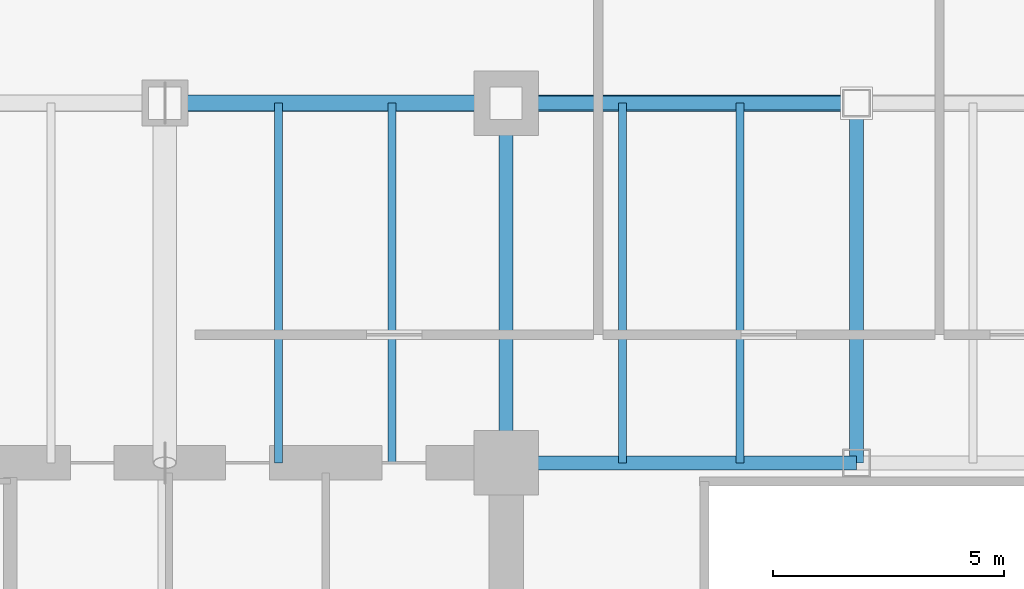
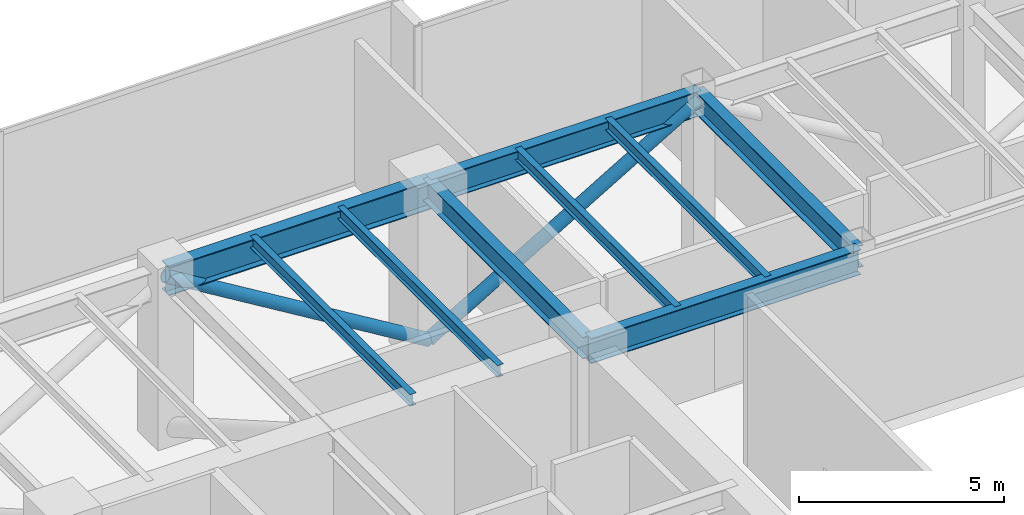
# One storey, part 13 of 38: 9 beams, 2 members.
"""IFC4 building model written with IfcOpenShell, lengths in metres."""

from ifc_helpers import new_model, si_unit, direction, frame, origin, origin_2d, place, context, subcontext, project, spatial, hollow_circle, i_section, extrude, source, transform, mapped, material, material_profile, profile_set, type_object, type_shapes, element, save


model = new_model("IFC4")

# Units and contexts
model_context = context("Model", 3, precision=1e-05, world=origin(), true_north=direction((0.0, 1.0)))
body_context = subcontext(model_context, "Body", "Model", "MODEL_VIEW")
ifc_project = project(units=[si_unit("LENGTHUNIT", "METRE"), si_unit("AREAUNIT", "SQUARE_METRE"), si_unit("VOLUMEUNIT", "CUBIC_METRE"), si_unit("PLANEANGLEUNIT", "RADIAN"), si_unit("MASSUNIT", "GRAM", prefix="KILO")], contexts=[model_context])

# Site, building, storey
site_placement = place(None, origin())
site = spatial("IfcSite", under=ifc_project, at=site_placement, CompositionType="ELEMENT")
building_placement = place(site_placement, origin())
building = spatial("IfcBuilding", under=site, at=building_placement, Name="Haelvirn Gate Laboratories", CompositionType="ELEMENT")
storey_placement = place(building_placement, frame((0.0, 0.0, 94.89990234375)))
storey = spatial("IfcBuildingStorey", under=building, at=storey_placement, Name="L23", CompositionType="ELEMENT", Elevation=94.89990234375)

# Beams
ifc_material_1 = material(Name="Steel SM355", Category="steel")
ifc_material_profile_1 = material_profile(ifc_material_1, i_section(OverallWidth=0.300048828125, OverallDepth=0.75, WebThickness=0.013916015625, FlangeThickness=0.02392578125, at=origin_2d()), Name="H-750x300x14x24")
ifc_profile_set_1 = profile_set([ifc_material_profile_1], Name="Steel SM355")
beam_type_1 = type_object("IfcBeamType", Name="BM-G-750", PredefinedType="BEAM", material=ifc_profile_set_1)
shared_shape_1 = source(origin(), body_context, "Body", "SweptSolid", [
    extrude(i_section(OverallWidth=0.300048828125, OverallDepth=0.75, WebThickness=0.013916015625, FlangeThickness=0.02392578125, at=origin_2d()), origin(), (0.0, 0.0, 1.0), 7.60009765625),
])
type_shapes(beam_type_1, [shared_shape_1])
for number, where, z_axis, x_axis, name in (
    (1, (22.199951171875, 33.800048828125, 4.715087890625), (1.0, 0.0, 0.0), (0.0, 1.0, 0.0), "L23 Primary Girder Y33.8 (22.2-29.8)"),
    (2, (22.199951171875, 41.60009765625, 4.715087890625), (1.0, 0.0, 0.0), (0.0, 1.0, 0.0), "L23 Primary Girder Y41.6 (22.2-29.8)"),
):
    element("IfcBeam", number, at=place(storey_placement, frame(where, z_axis=z_axis, x_axis=x_axis)), inside=storey, type_object=beam_type_1, Name=name, PredefinedType="BEAM", context=body_context, shape_type="MappedRepresentation", body=[
        mapped(shared_shape_1, transform((0.0, 0.0, 0.0), scale=1.0)),
    ])
ifc_material_profile_2 = material_profile(ifc_material_1, i_section(OverallWidth=0.175048828125, OverallDepth=0.35009765625, WebThickness=0.007080078125, FlangeThickness=0.010986328125, at=origin_2d()), Name="H-350x175x7x11")
ifc_profile_set_2 = profile_set([ifc_material_profile_2], Name="Steel SM355")
beam_type_2 = type_object("IfcBeamType", Name="BM-J-350", PredefinedType="JOIST", material=ifc_profile_set_2)
shared_shape_2 = source(origin(), body_context, "Body", "SweptSolid", [
    extrude(i_section(OverallWidth=0.175048828125, OverallDepth=0.35009765625, WebThickness=0.007080078125, FlangeThickness=0.010986328125, at=origin_2d()), origin(), (0.0, 0.0, 1.0), 7.800048828125),
])
type_shapes(beam_type_2, [shared_shape_2])
for number, where, z_axis, x_axis, name in (
    (3, (17.27001953125, 33.800048828125, 4.9150390625), (0.0, 1.0, 0.0), (-1.0, 0.0, 0.0), "L23 Composite Lab Joist North X17.27"),
    (4, (19.72998046875, 33.800048828125, 4.9150390625), (0.0, 1.0, 0.0), (-1.0, 0.0, 0.0), "L23 Composite Lab Joist North X19.73"),
    (5, (24.72998046875, 33.800048828125, 4.9150390625), (0.0, 1.0, 0.0), (-1.0, 0.0, 0.0), "L23 Composite Lab Joist North X24.73"),
    (6, (27.27001953125, 33.800048828125, 4.9150390625), (0.0, 1.0, 0.0), (-1.0, 0.0, 0.0), "L23 Composite Lab Joist North X27.27"),
):
    element("IfcBeam", number, at=place(storey_placement, frame(where, z_axis=z_axis, x_axis=x_axis)), inside=storey, type_object=beam_type_2, Name=name, PredefinedType="JOIST", context=body_context, shape_type="MappedRepresentation", body=[
        mapped(shared_shape_2, transform((0.0, 0.0, 0.0), scale=1.0)),
    ])
ifc_material_profile_3 = material_profile(ifc_material_1, i_section(OverallWidth=0.300048828125, OverallDepth=0.64990234375, WebThickness=0.012939453125, FlangeThickness=0.02197265625, at=origin_2d()), Name="H-650x300x13x22")
ifc_profile_set_3 = profile_set([ifc_material_profile_3], Name="Steel SM355")
beam_type_3 = type_object("IfcBeamType", Name="BM-G-650", PredefinedType="BEAM", material=ifc_profile_set_3)
shared_shape_3 = source(origin(), body_context, "Body", "SweptSolid", [
    extrude(i_section(OverallWidth=0.300048828125, OverallDepth=0.64990234375, WebThickness=0.012939453125, FlangeThickness=0.02197265625, at=origin_2d()), origin(), (0.0, 0.0, 1.0), 7.800048828125),
])
type_shapes(beam_type_3, [shared_shape_3])
for number, where, z_axis, x_axis, name in (
    (7, (22.199951171875, 33.800048828125, 4.76513671875), (0.0, 1.0, 0.0), (-1.0, 0.0, 0.0), "L23 Frame Girder X22.2 (33.8-41.6)"),
    (8, (29.800048828125, 33.800048828125, 4.76513671875), (0.0, 1.0, 0.0), (-1.0, 0.0, 0.0), "L23 Frame Girder X29.8 (33.8-41.6)"),
):
    element("IfcBeam", number, at=place(storey_placement, frame(where, z_axis=z_axis, x_axis=x_axis)), inside=storey, type_object=beam_type_3, Name=name, PredefinedType="BEAM", context=body_context, shape_type="MappedRepresentation", body=[
        mapped(shared_shape_3, transform((0.0, 0.0, 0.0), scale=1.0)),
    ])
ifc_material_2 = material(Name="Steel SM420", Category="steel")
ifc_material_profile_4 = material_profile(ifc_material_2, i_section(OverallWidth=0.35009765625, OverallDepth=0.85009765625, WebThickness=0.01611328125, FlangeThickness=0.028076171875, at=origin_2d()), Name="H-850x350x16x28")
ifc_profile_set_4 = profile_set([ifc_material_profile_4], Name="Steel SM420")
beam_type_4 = type_object("IfcBeamType", Name="BM-AG-850", PredefinedType="BEAM", material=ifc_profile_set_4)
shared_shape_4 = source(origin(), body_context, "Body", "SweptSolid", [
    extrude(i_section(OverallWidth=0.35009765625, OverallDepth=0.85009765625, WebThickness=0.01611328125, FlangeThickness=0.028076171875, at=origin_2d()), origin(), (0.0, 0.0, 1.0), 7.39990234375),
])
type_shapes(beam_type_4, [shared_shape_4])
beam_placement = place(storey_placement, frame((14.800048828125, 41.60009765625, 4.6650390625), z_axis=(1.0, 0.0, 0.0), x_axis=(0.0, 1.0, 0.0)))
element("IfcBeam", 9, at=beam_placement, inside=storey, type_object=beam_type_4, Name="L23 Primary Girder Y41.6 (14.8-22.2)", PredefinedType="BEAM", context=body_context, shape_type="MappedRepresentation", body=[
    mapped(shared_shape_4, transform((0.0, 0.0, 0.0), scale=1.0)),
])

# Members
ifc_material_profile_5 = material_profile(ifc_material_1, hollow_circle(Radius=0.177734375, WallThickness=0.013916015625, at=origin_2d()), Name="CHS-355x14")
ifc_profile_set_5 = profile_set([ifc_material_profile_5], Name="Steel SM355")
member_type = type_object("IfcMemberType", Name="MEM-BELT-1", PredefinedType="STRUT", material=ifc_profile_set_5)
shared_shape_5 = source(origin(), body_context, "Body", "SweptSolid", [
    extrude(hollow_circle(Radius=0.177734375, WallThickness=0.013916015625, at=origin_2d()), origin(), (0.0, 0.0, 1.0), 8.655517578125),
])
member_1_placement = place(storey_placement, frame((14.800048828125, 41.60009765625, 4.739990234375), z_axis=(0.854931378918, 0.0, -0.518741108205), x_axis=(0.0, 1.0, 0.0)))
element("IfcMember", 10, at=member_1_placement, inside=storey, type_object=member_type, Name="L23 Perimeter Belt Truss N2", PredefinedType="STRUT", context=body_context, shape_type="MappedRepresentation", body=[
    mapped(shared_shape_5, transform((0.0, 0.0, 0.0), scale=1.0)),
])
shared_shape_6 = source(origin(), body_context, "Body", "SweptSolid", [
    extrude(hollow_circle(Radius=0.177734375, WallThickness=0.013916015625, at=origin_2d()), origin(), (0.0, 0.0, 1.0), 8.827392578125),
])
type_shapes(member_type, [shared_shape_5, shared_shape_6])
member_2_placement = place(storey_placement, frame((22.199951171875, 41.60009765625, 0.25), z_axis=(0.860974977709, 0.0, 0.508647311759), x_axis=(0.0, 1.0, 0.0)))
element("IfcMember", 11, at=member_2_placement, inside=storey, type_object=member_type, Name="L23 Perimeter Belt Truss N3", PredefinedType="STRUT", context=body_context, shape_type="MappedRepresentation", body=[
    mapped(shared_shape_6, transform((0.0, 0.0, 0.0), scale=1.0)),
])

save(model, "model.ifc")
